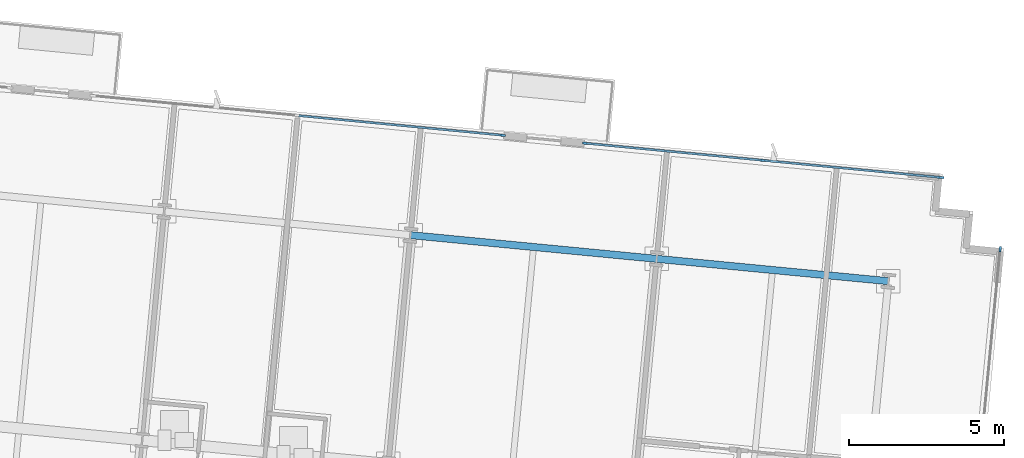
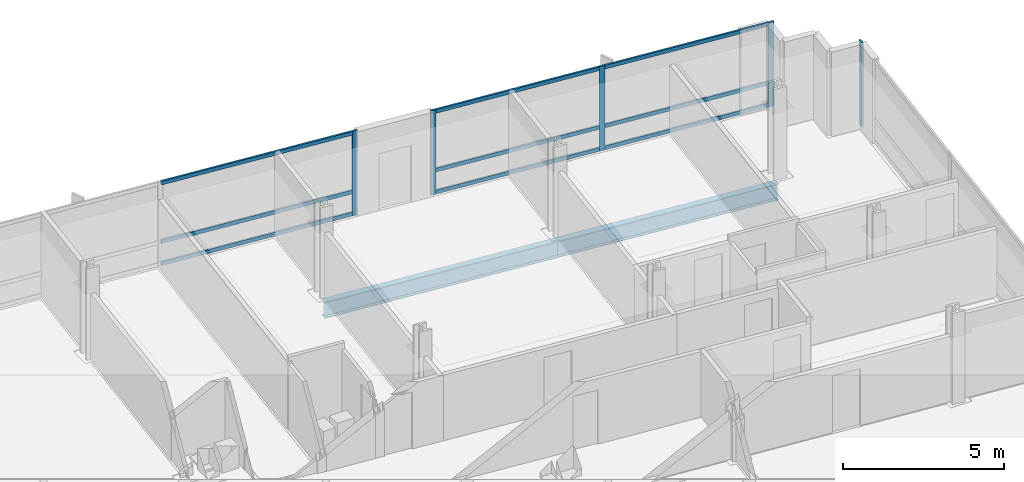
# One storey, part 8 of 17: 14 members, 2 beams, 3 elements without a shape of their own.
"""IFC4 building model written with IfcOpenShell, lengths in metres."""

from ifc_helpers import new_model, si_unit, direction, frame, origin, origin_2d, place, context, subcontext, project, spatial, rectangle, i_section, extrude, material, material_profile, profile_set, type_object, element, aggregate, save


model = new_model("IFC4")

# Units and contexts
model_context = context("Model", 3, precision=1e-05, world=origin(), true_north=direction((0.0, 1.0)))
body_context = subcontext(model_context, "Body", "Model", "MODEL_VIEW")
ifc_project = project(units=[si_unit("LENGTHUNIT", "METRE"), si_unit("AREAUNIT", "SQUARE_METRE"), si_unit("VOLUMEUNIT", "CUBIC_METRE"), si_unit("PLANEANGLEUNIT", "RADIAN"), si_unit("MASSUNIT", "GRAM", prefix="KILO")], contexts=[model_context])

# Site, building, storey
site_placement = place(None, origin())
site = spatial("IfcSite", under=ifc_project, at=site_placement, CompositionType="ELEMENT")
building_placement = place(site_placement, origin())
building = spatial("IfcBuilding", under=site, at=building_placement, Name="Solmavex Isthmus Hotel", CompositionType="ELEMENT")
storey_placement = place(building_placement, frame((0.0, 0.0, 173.85009765625)))
storey = spatial("IfcBuildingStorey", under=building, at=storey_placement, Name="L47", CompositionType="ELEMENT", Elevation=173.85009765625)

# Beams
ifc_material_1 = material(Name="Steel ASTM A992 Grade 50", Category="steel")
ifc_material_profile_1 = material_profile(ifc_material_1, i_section(OverallWidth=0.230224609375, OverallDepth=0.617431640625, WebThickness=0.01318359375, FlangeThickness=0.022216796875, FilletRadius=0.01513671875, at=origin_2d()), Name="W24X94")
ifc_profile_set_1 = profile_set([ifc_material_profile_1], Name="Steel ASTM A992 Grade 50")
beam_type = type_object("IfcBeamType", Name="BM-SP-W24X94", PredefinedType="SPANDREL", material=ifc_profile_set_1)
beam_1_placement = place(storey_placement, frame((9.1953125, 17.966552734375, -0.56884765625), z_axis=(0.995397440011, -0.095832856685, 0.0), x_axis=(0.095832856685, 0.995397440011, 0.0)))
element("IfcBeam", 1, at=beam_1_placement, inside=storey, type_object=beam_type, Name="Floor Girder L47-UG19", PredefinedType="SPANDREL", context=body_context, shape_type="SweptSolid", body=[
    extrude(i_section(OverallWidth=0.230224609375, OverallDepth=0.617431640625, WebThickness=0.01318359375, FlangeThickness=0.022216796875, FilletRadius=0.01513671875, at=origin_2d()), origin(), (0.0, 0.0, 1.0), 7.9560546875),
])
beam_2_placement = place(storey_placement, frame((17.11474609375, 17.2041015625, -0.56884765625), z_axis=(0.995395279593, -0.095855293875, 0.0), x_axis=(0.095855293875, 0.995395279593, 0.0)))
element("IfcBeam", 2, at=beam_2_placement, inside=storey, type_object=beam_type, Name="Floor Girder L47-UG20", PredefinedType="SPANDREL", context=body_context, shape_type="SweptSolid", body=[
    extrude(i_section(OverallWidth=0.230224609375, OverallDepth=0.617431640625, WebThickness=0.01318359375, FlangeThickness=0.022216796875, FilletRadius=0.01513671875, at=origin_2d()), origin(), (0.0, 0.0, 1.0), 7.488037109375),
])

# Curtain wall, member
ifc_material_2 = material(Name="Aluminium alloy 6063-T6", Category="aluminium")
curtain_wall_type = type_object("IfcCurtainWallType", Name="CW-SYS-03", PredefinedType="NOTDEFINED", material=ifc_material_2)
curtain_wall_1_placement = place(storey_placement, origin())
curtain_wall_1 = element("IfcCurtainWall", 3, at=curtain_wall_1_placement, inside=storey, type_object=curtain_wall_type, Name="Stick Curtain Wall CWL-L47-N2", PredefinedType="NOTDEFINED")
ifc_material_profile_2 = material_profile(ifc_material_2, rectangle(XDim=0.070068359375, YDim=0.179931640625, at=origin_2d()), Name="CWM-70X180")
ifc_profile_set_2 = profile_set([ifc_material_profile_2], Name="Aluminium alloy 6063-T6")
member_type_1 = type_object("IfcMemberType", Name="CW-SYS-03-MUL", PredefinedType="MULLION", material=ifc_profile_set_2)
member_1_placement = place(storey_placement, frame((12.15966796875, 21.17724609375, 0.0), z_axis=(0.0, 0.0, 1.0), x_axis=(0.095845138178, 0.995396257521, 0.0)))
member_1 = element("IfcMember", 4, at=member_1_placement, type_object=member_type_1, Name="CW-03 mullion 3", PredefinedType="MULLION", context=body_context, shape_type="SweptSolid", body=[
    extrude(rectangle(XDim=0.070068359375, YDim=0.179931640625, at=origin_2d()), origin(), (0.0, 0.0, 1.0), 3.18994140625),
])

# Curtain wall, members
curtain_wall_2_placement = place(storey_placement, origin())
curtain_wall_2 = element("IfcCurtainWall", 5, at=curtain_wall_2_placement, inside=storey, type_object=curtain_wall_type, Name="Stick Curtain Wall CWL-L47-N3", PredefinedType="NOTDEFINED")
member_2_placement = place(storey_placement, frame((14.8173828125, 20.92138671875, 0.0), z_axis=(0.0, 0.0, 1.0), x_axis=(0.095845603495, 0.995396212717, 0.0)))
member_2 = element("IfcMember", 6, at=member_2_placement, type_object=member_type_1, Name="CW-03 mullion 1", PredefinedType="MULLION", context=body_context, shape_type="SweptSolid", body=[
    extrude(rectangle(XDim=0.070068359375, YDim=0.179931640625, at=origin_2d()), origin(), (0.0, 0.0, 1.0), 3.18994140625),
])
member_3_placement = place(storey_placement, frame((20.5390625, 20.370361328125, 0.0), z_axis=(0.0, 0.0, 1.0), x_axis=(0.095845603495, 0.995396212717, 0.0)))
member_3 = element("IfcMember", 7, at=member_3_placement, type_object=member_type_1, Name="CW-03 mullion 2", PredefinedType="MULLION", context=body_context, shape_type="SweptSolid", body=[
    extrude(rectangle(XDim=0.070068359375, YDim=0.179931640625, at=origin_2d()), origin(), (0.0, 0.0, 1.0), 3.18994140625),
])
member_4_placement = place(storey_placement, frame((26.260498046875, 19.819580078125, 0.0), z_axis=(0.0, 0.0, 1.0), x_axis=(0.095845603495, 0.995396212717, 0.0)))
member_4 = element("IfcMember", 8, at=member_4_placement, type_object=member_type_1, Name="CW-03 mullion 3", PredefinedType="MULLION", context=body_context, shape_type="SweptSolid", body=[
    extrude(rectangle(XDim=0.070068359375, YDim=0.179931640625, at=origin_2d()), origin(), (0.0, 0.0, 1.0), 3.18994140625),
])

# Curtain wall, member
curtain_wall_3_placement = place(storey_placement, origin())
curtain_wall_3 = element("IfcCurtainWall", 9, at=curtain_wall_3_placement, inside=storey, type_object=curtain_wall_type, Name="Stick Curtain Wall CWL-L47-E1", PredefinedType="NOTDEFINED")
member_5_placement = place(storey_placement, frame((28.1630859375, 17.511474609375, 0.0), z_axis=(0.0, 0.0, 1.0), x_axis=(-0.995396190038, 0.09584583902, 0.0)))
member_5 = element("IfcMember", 10, at=member_5_placement, type_object=member_type_1, Name="CW-03 mullion 6", PredefinedType="MULLION", context=body_context, shape_type="SweptSolid", body=[
    extrude(rectangle(XDim=0.070068359375, YDim=0.179931640625, at=origin_2d()), origin(), (0.0, 0.0, 1.0), 3.18994140625),
])
aggregate(curtain_wall_3, [member_5])

# Member
ifc_material_profile_3 = material_profile(ifc_material_2, rectangle(XDim=0.070068359375, YDim=0.139892578125, at=origin_2d()), Name="CWT-70X140")
ifc_profile_set_3 = profile_set([ifc_material_profile_3], Name="Aluminium alloy 6063-T6")
member_type_2 = type_object("IfcMemberType", Name="CW-SYS-03-TRN", PredefinedType="USERDEFINED", material=ifc_profile_set_3)
member_6_placement = place(storey_placement, frame((5.60400390625, 21.808349609375, 0.06982421875), z_axis=(0.995399328313, -0.095813241224, 0.0), x_axis=(0.095813241224, 0.995399328313, 0.0)))
member_6 = element("IfcMember", 11, at=member_6_placement, type_object=member_type_2, Name="CW-03 transom 2.1", ObjectType="TRANSOM", PredefinedType="USERDEFINED", context=body_context, shape_type="SweptSolid", body=[
    extrude(rectangle(XDim=0.070068359375, YDim=0.139892578125, at=origin_2d()), origin(), (0.0, 0.0, 1.0), 6.551025390625),
])

member_7_placement = place(storey_placement, frame((5.60400390625, 21.808349609375, 0.89990234375), z_axis=(0.995399328313, -0.095813241224, 0.0), x_axis=(0.095813241224, 0.995399328313, 0.0)))
member_7 = element("IfcMember", 12, at=member_7_placement, type_object=member_type_2, Name="CW-03 transom 2.2", ObjectType="TRANSOM", PredefinedType="USERDEFINED", context=body_context, shape_type="SweptSolid", body=[
    extrude(rectangle(XDim=0.070068359375, YDim=0.139892578125, at=origin_2d()), origin(), (0.0, 0.0, 1.0), 6.551025390625),
])

member_8_placement = place(storey_placement, frame((5.60400390625, 21.808349609375, 3.119873046875), z_axis=(0.995399328313, -0.095813241224, 0.0), x_axis=(0.095813241224, 0.995399328313, 0.0)))
member_8 = element("IfcMember", 13, at=member_8_placement, type_object=member_type_2, Name="CW-03 transom 2.3", ObjectType="TRANSOM", PredefinedType="USERDEFINED", context=body_context, shape_type="SweptSolid", body=[
    extrude(rectangle(XDim=0.070068359375, YDim=0.139892578125, at=origin_2d()), origin(), (0.0, 0.0, 1.0), 6.551025390625),
])

aggregate(curtain_wall_1, [member_1, member_6, member_7, member_8])

member_9_placement = place(storey_placement, frame((14.852294921875, 20.91796875, 0.06982421875), z_axis=(0.995396573568, -0.095841855831, 0.0), x_axis=(0.095841855831, 0.995396573568, 0.0)))
member_9 = element("IfcMember", 14, at=member_9_placement, type_object=member_type_2, Name="CW-03 transom 1.1", ObjectType="TRANSOM", PredefinedType="USERDEFINED", context=body_context, shape_type="SweptSolid", body=[
    extrude(rectangle(XDim=0.070068359375, YDim=0.139892578125, at=origin_2d()), origin(), (0.0, 0.0, 1.0), 5.677978515625),
])

member_10_placement = place(storey_placement, frame((14.852294921875, 20.91796875, 0.89990234375), z_axis=(0.995396573568, -0.095841855831, 0.0), x_axis=(0.095841855831, 0.995396573568, 0.0)))
member_10 = element("IfcMember", 15, at=member_10_placement, type_object=member_type_2, Name="CW-03 transom 1.2", ObjectType="TRANSOM", PredefinedType="USERDEFINED", context=body_context, shape_type="SweptSolid", body=[
    extrude(rectangle(XDim=0.070068359375, YDim=0.139892578125, at=origin_2d()), origin(), (0.0, 0.0, 1.0), 5.677978515625),
])

member_11_placement = place(storey_placement, frame((14.852294921875, 20.91796875, 3.119873046875), z_axis=(0.995396573568, -0.095841855831, 0.0), x_axis=(0.095841855831, 0.995396573568, 0.0)))
member_11 = element("IfcMember", 16, at=member_11_placement, type_object=member_type_2, Name="CW-03 transom 1.3", ObjectType="TRANSOM", PredefinedType="USERDEFINED", context=body_context, shape_type="SweptSolid", body=[
    extrude(rectangle(XDim=0.070068359375, YDim=0.139892578125, at=origin_2d()), origin(), (0.0, 0.0, 1.0), 5.677978515625),
])

member_12_placement = place(storey_placement, frame((20.573974609375, 20.366943359375, 0.06982421875), z_axis=(0.995396573568, -0.095841855831, 0.0), x_axis=(0.095841855831, 0.995396573568, 0.0)))
member_12 = element("IfcMember", 17, at=member_12_placement, type_object=member_type_2, Name="CW-03 transom 2.1", ObjectType="TRANSOM", PredefinedType="USERDEFINED", context=body_context, shape_type="SweptSolid", body=[
    extrude(rectangle(XDim=0.070068359375, YDim=0.139892578125, at=origin_2d()), origin(), (0.0, 0.0, 1.0), 5.677978515625),
])

member_13_placement = place(storey_placement, frame((20.573974609375, 20.366943359375, 0.89990234375), z_axis=(0.995396573568, -0.095841855831, 0.0), x_axis=(0.095841855831, 0.995396573568, 0.0)))
member_13 = element("IfcMember", 18, at=member_13_placement, type_object=member_type_2, Name="CW-03 transom 2.2", ObjectType="TRANSOM", PredefinedType="USERDEFINED", context=body_context, shape_type="SweptSolid", body=[
    extrude(rectangle(XDim=0.070068359375, YDim=0.139892578125, at=origin_2d()), origin(), (0.0, 0.0, 1.0), 5.677978515625),
])

member_14_placement = place(storey_placement, frame((20.573974609375, 20.366943359375, 3.119873046875), z_axis=(0.995396573568, -0.095841855831, 0.0), x_axis=(0.095841855831, 0.995396573568, 0.0)))
member_14 = element("IfcMember", 19, at=member_14_placement, type_object=member_type_2, Name="CW-03 transom 2.3", ObjectType="TRANSOM", PredefinedType="USERDEFINED", context=body_context, shape_type="SweptSolid", body=[
    extrude(rectangle(XDim=0.070068359375, YDim=0.139892578125, at=origin_2d()), origin(), (0.0, 0.0, 1.0), 5.677978515625),
])

aggregate(curtain_wall_2, [member_2, member_3, member_4, member_9, member_10, member_11, member_12, member_13, member_14])

save(model, "model.ifc")
